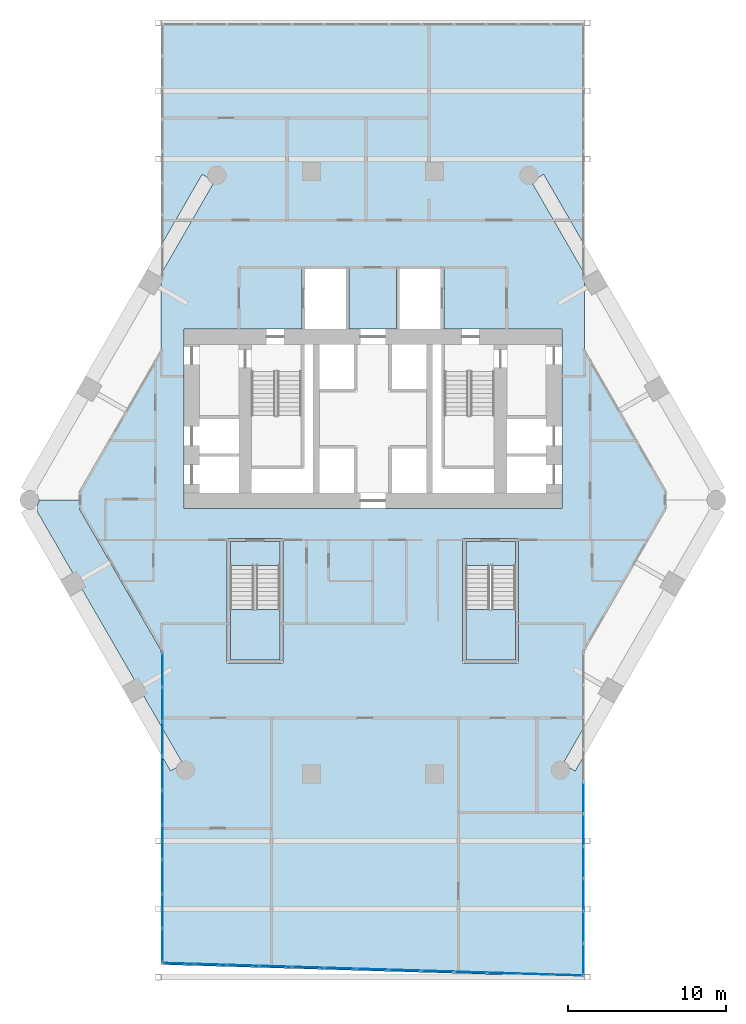
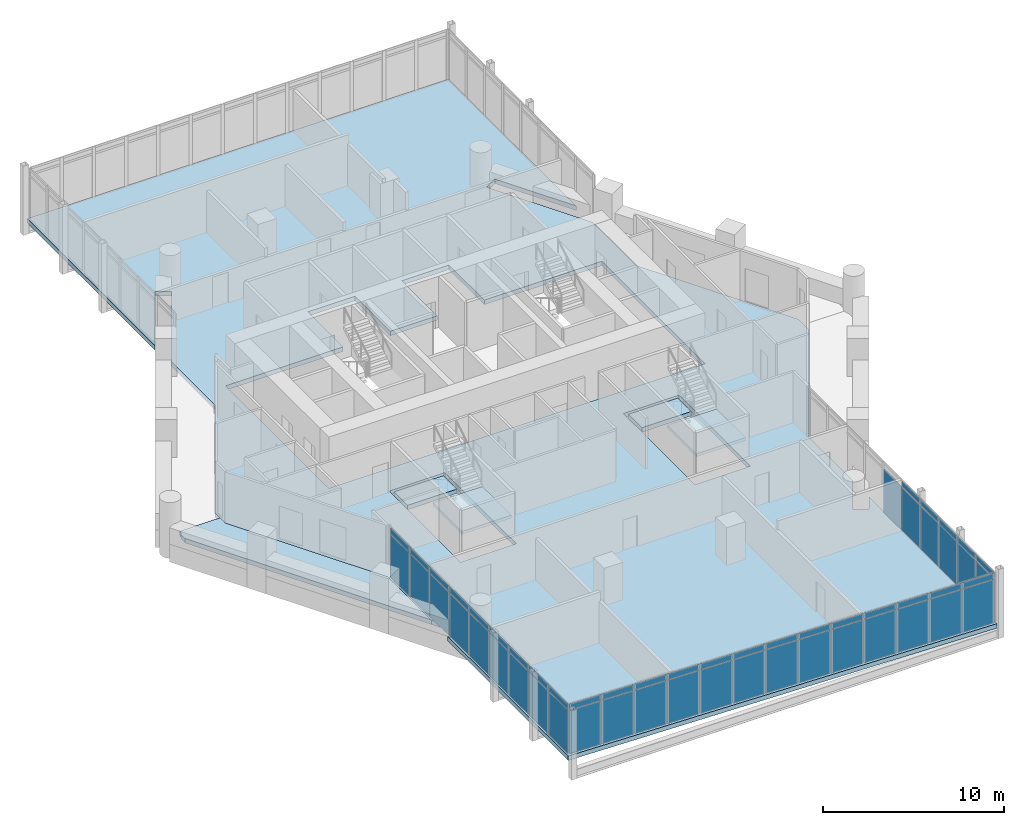
# One storey, part 20 of 28: 55 plates, 6 slabs, 5 elements without a shape of their own.
"""IFC4 building model written with IfcOpenShell, lengths in metres."""

import ifcopenshell
import ifcopenshell.guid

model = None  # the IFC model being written
_history = None  # IfcOwnerHistory: only IFC2X3 demands one
_inside = {}  # id of a spatial element -> (the spatial element, [elements in it])
_under = {}  # id of a project, library or spatial element -> (it, [spatial elements below it])
_declared = {}  # id of a project -> (the project, [libraries it declares])
_typed = {}  # id of a type object -> (the type object, [elements of that type])
_made_of = {}  # id of a material, layer set ... -> (it, [elements and type objects made of it])


def new_model(schema):
    """Start an empty IFC model of exactly this schema.

    Asked for "IFC4X3", IfcOpenShell would pick the latest addendum, in which some entities
    have other attributes; the version numbers below select the first issue.
    IFC2X3 requires an IfcOwnerHistory on every rooted entity: one is made here for all.
    """
    global model, _history
    if schema == "IFC4X3":
        model = ifcopenshell.file(schema_version=(4, 3, 0, 0))
    else:
        model = ifcopenshell.file(schema=schema)
    _inside.clear()
    _under.clear()
    _declared.clear()
    _typed.clear()
    _made_of.clear()
    _history = None
    if model.schema == "IFC2X3":
        org = make("IfcOrganization", Name="unknown")
        user = make(
            "IfcPersonAndOrganization",
            ThePerson=make("IfcPerson", FamilyName="unknown"),
            TheOrganization=org,
        )
        app = make(
            "IfcApplication",
            ApplicationDeveloper=org,
            Version="unknown",
            ApplicationFullName="unknown",
            ApplicationIdentifier="unknown",
        )
        _history = make(
            "IfcOwnerHistory",
            OwningUser=user,
            OwningApplication=app,
            ChangeAction="ADDED",
            CreationDate=0,
        )
    return model


def make(cls, **values):
    """One entity of the class cls with the attributes given. An attribute that is None is left unset."""
    return model.create_entity(
        cls, **{name: value for name, value in values.items() if value is not None}
    )


def rooted(cls, **values):
    """An entity with a GlobalId (a new one), such as an element, a storey or a relation."""
    return make(cls, GlobalId=ifcopenshell.guid.new(), OwnerHistory=_history, **values)


def si_unit(unit_type, name, prefix=None):
    """IfcSIUnit, for example si_unit("LENGTHUNIT", "METRE", prefix="MILLI")."""
    return make("IfcSIUnit", UnitType=unit_type, Prefix=prefix, Name=name)


def assignment(units):
    """IfcUnitAssignment: the units of a project."""
    return None if units is None else make("IfcUnitAssignment", Units=units)


def point(xyz):
    """IfcCartesianPoint."""
    return None if xyz is None else make("IfcCartesianPoint", Coordinates=xyz)


def direction(xyz):
    """IfcDirection."""
    return None if xyz is None else make("IfcDirection", DirectionRatios=xyz)


def frame(location, z_axis=None, x_axis=None):
    """IfcAxis2Placement3D, a coordinate frame: its origin and axes. An axis left out is left unset."""
    return make(
        "IfcAxis2Placement3D",
        Location=point(location),
        Axis=direction(z_axis),
        RefDirection=direction(x_axis),
    )


def frame_2d(location, x_axis=None):
    """IfcAxis2Placement2D, a coordinate frame in the plane: its origin and x axis."""
    return make(
        "IfcAxis2Placement2D", Location=point(location), RefDirection=direction(x_axis)
    )


def origin():
    """The frame at (0, 0, 0) with its axes left unset."""
    return frame((0.0, 0.0, 0.0))


def origin_2d():
    """The frame at (0, 0) in the plane with its x axis left unset."""
    return frame_2d((0.0, 0.0))


def place(relative_to, where):
    """IfcLocalPlacement: puts the frame where relative to a parent placement (None: the world)."""
    return make(
        "IfcLocalPlacement", PlacementRelTo=relative_to, RelativePlacement=where
    )


def context(
    kind, dimensions, precision=None, world=None, true_north=None, identifier=None
):
    """IfcGeometricRepresentationContext, for example the 3D "Model" context."""
    return make(
        "IfcGeometricRepresentationContext",
        ContextIdentifier=identifier,
        ContextType=kind,
        CoordinateSpaceDimension=dimensions,
        Precision=precision,
        WorldCoordinateSystem=world,
        TrueNorth=true_north,
    )


def subcontext(parent, identifier, kind, view, scale=None):
    """IfcGeometricRepresentationSubContext, for example "Body" below "Model"."""
    return make(
        "IfcGeometricRepresentationSubContext",
        ContextIdentifier=identifier,
        ContextType=kind,
        ParentContext=parent,
        TargetScale=scale,
        TargetView=view,
    )


def project(units=None, contexts=None):
    """IfcProject with its units and contexts."""
    return rooted(
        "IfcProject",
        Name="project",
        RepresentationContexts=contexts,
        UnitsInContext=assignment(units),
    )


def spatial(cls, under=None, at=None, **own):
    """A site, building, storey or space (cls), placed at a placement, below another one or the project."""
    s = rooted(cls, ObjectPlacement=at, **own)
    if under is not None:
        _under.setdefault(under.id(), (under, []))[1].append(s)
    return s


def polyline(points):
    """IfcPolyline through the points."""
    return make("IfcPolyline", Points=[point(p) for p in points])


def profile(cls, at=None, kind="AREA", **sizes):
    """A parametric profile (cls). Its sizes go by their IFC names, for example OverallWidth=200.0."""
    return make(cls, ProfileType=kind, Position=at, **sizes)


def rectangle(**sizes):
    """IfcRectangleProfileDef."""
    return profile("IfcRectangleProfileDef", **sizes)


def outline(outer, holes=None, kind="AREA"):
    """IfcArbitraryClosedProfileDef: a profile drawn as a closed curve; with holes, ...WithVoids."""
    if holes is None:
        return make("IfcArbitraryClosedProfileDef", ProfileType=kind, OuterCurve=outer)
    return make(
        "IfcArbitraryProfileDefWithVoids",
        ProfileType=kind,
        OuterCurve=outer,
        InnerCurves=holes,
    )


def extrude(swept, where, along, depth):
    """IfcExtrudedAreaSolid: the profile swept, set in the frame where, extruded along a direction by depth."""
    return make(
        "IfcExtrudedAreaSolid",
        SweptArea=swept,
        Position=where,
        ExtrudedDirection=direction(along),
        Depth=depth,
    )


def shape(context_of_items, identifier, shape_type, items):
    """IfcShapeRepresentation: the items that make up one representation, for example the "Body"."""
    return make(
        "IfcShapeRepresentation",
        ContextOfItems=context_of_items,
        RepresentationIdentifier=identifier,
        RepresentationType=shape_type,
        Items=items,
    )


def material(Name=None, Category=None):
    """IfcMaterial."""
    return make("IfcMaterial", Name=Name, Category=Category)


def layer(
    of_material, thickness, ventilated=None, Name=None, Category=None, Priority=None
):
    """IfcMaterialLayer: one layer of a wall or slab, of a material (None: an air gap)."""
    return make(
        "IfcMaterialLayer",
        Material=of_material,
        LayerThickness=thickness,
        IsVentilated=ventilated,
        Name=Name,
        Category=Category,
        Priority=Priority,
    )


def layer_set(layers, Name=None):
    """IfcMaterialLayerSet."""
    return make("IfcMaterialLayerSet", MaterialLayers=layers, LayerSetName=Name)


def made_of(thing, what):
    """Note that an element or type object is made of a material, layer set ...; save() writes the relation."""
    if what is not None:
        _made_of.setdefault(what.id(), (what, []))[1].append(thing)
    return thing


def type_object(cls, material=None, **own):
    """A type object (cls), such as IfcWallType, which elements share."""
    return made_of(rooted(cls, **own), material)


def element(
    cls,
    number,
    at=None,
    inside=None,
    cuts=None,
    type_object=None,
    material=None,
    context=None,
    identifier="Body",
    shape_type=None,
    held_by="IfcProductDefinitionShape",
    body=None,
    shapes=None,
    **own,
):
    """One element of the class cls, such as IfcWall. Its Tag is "e" and its number.

    at: its placement. inside: the storey or other place that contains it. cuts: it is an
    opening in that element (IfcRelVoidsElement). A single representation is given by context,
    identifier, shape_type and body (its items); several are given by shapes. held_by: the class
    of the entity that holds the representations. save() writes the other relations.
    """
    e = rooted(cls, Tag="e%d" % number, ObjectPlacement=at, **own)
    if body is not None:
        shapes = [shape(context, identifier, shape_type, body)]
    if shapes is not None:
        e.Representation = make(held_by, Representations=shapes)
    if inside is not None:
        _inside.setdefault(inside.id(), (inside, []))[1].append(e)
    if cuts is not None:
        rooted(
            "IfcRelVoidsElement", RelatingBuildingElement=cuts, RelatedOpeningElement=e
        )
    if type_object is not None:
        _typed.setdefault(type_object.id(), (type_object, []))[1].append(e)
    return made_of(e, material)


def aggregate(whole, parts):
    """IfcRelAggregates: a whole, such as a stair, and the parts it consists of."""
    return rooted("IfcRelAggregates", RelatingObject=whole, RelatedObjects=parts)


def save(model, path):
    """Write the relations noted so far, then the file.

    IfcRelAggregates (storeys below a building ...), IfcRelContainedInSpatialStructure (elements
    in a storey), IfcRelDefinesByType, IfcRelAssociatesMaterial and IfcRelDeclares: one each for
    every whole, place, type object, material and project.
    """
    for whole, parts in _under.values():
        aggregate(whole, parts)
    for where, things in _inside.values():
        rooted(
            "IfcRelContainedInSpatialStructure",
            RelatedElements=things,
            RelatingStructure=where,
        )
    for kind, things in _typed.values():
        rooted("IfcRelDefinesByType", RelatedObjects=things, RelatingType=kind)
    for what, things in _made_of.values():
        rooted("IfcRelAssociatesMaterial", RelatedObjects=things, RelatingMaterial=what)
    for by, libraries in _declared.values():
        rooted("IfcRelDeclares", RelatingContext=by, RelatedDefinitions=libraries)
    model.write(path)


model = new_model("IFC4")

# Units and contexts
model_context = context("Model", 3, precision=1e-05, world=origin(), true_north=direction((0.0, 1.0)))
body_context = subcontext(model_context, "Body", "Model", "MODEL_VIEW")
ifc_project = project(units=[si_unit("LENGTHUNIT", "METRE"), si_unit("AREAUNIT", "SQUARE_METRE"), si_unit("VOLUMEUNIT", "CUBIC_METRE"), si_unit("PLANEANGLEUNIT", "RADIAN"), si_unit("MASSUNIT", "GRAM", prefix="KILO")], contexts=[model_context])

# Site, building, storey
site_placement = place(None, origin())
site = spatial("IfcSite", under=ifc_project, at=site_placement, CompositionType="ELEMENT")
building_placement = place(site_placement, origin())
building = spatial("IfcBuilding", under=site, at=building_placement, Name="Ostrander Bayou Hotel Tower", CompositionType="ELEMENT")
storey_placement = place(building_placement, frame((0.0, 0.0, 142.25)))
storey = spatial("IfcBuildingStorey", under=building, at=storey_placement, Name="L35", CompositionType="ELEMENT", Elevation=142.25)

# Curtain wall, plates
ifc_material_1 = material(Name="Aluminium and clear glass", Category="aluminium")
curtain_wall_type = type_object("IfcCurtainWallType", Name="CW-BAR glazed wall", PredefinedType="NOTDEFINED", material=ifc_material_1)
curtain_wall_1_placement = place(storey_placement, origin())
curtain_wall_1 = element("IfcCurtainWall", 1, at=curtain_wall_1_placement, inside=storey, type_object=curtain_wall_type, Name="CW-BAR L35:SB3S:E", PredefinedType="NOTDEFINED")
ifc_material_2 = material(Name="Clear laminated glass", Category="glass")
ifc_layer_1 = layer(ifc_material_2, 0.028076171875)
ifc_layer_set_1 = layer_set([ifc_layer_1], Name="CW-BR glazing panel 28 mm")
plate_type = type_object("IfcPlateType", Name="CW-BR glazing panel 28 mm", PredefinedType="CURTAIN_PANEL", material=ifc_layer_set_1)
plate_1_placement = place(storey_placement, frame((-13.3671875, -11.95703125, 0.06005859375), z_axis=(0.0, 0.0, 1.0), x_axis=(0.0, -1.0, 0.0)))
plate_1 = element("IfcPlate", 2, at=plate_1_placement, type_object=plate_type, Name="CW-BAR panel 1.1", PredefinedType="CURTAIN_PANEL", context=body_context, shape_type="SweptSolid", body=[
    extrude(rectangle(XDim=2.099365234375, YDim=0.028076171875, at=origin_2d()), origin(), (0.0, 0.0, 1.0), 2.909912109375),
])
plate_2_placement = place(storey_placement, frame((-13.3671875, -11.95703125, 3.02978515625), z_axis=(0.0, 0.0, 1.0), x_axis=(0.0, -1.0, 0.0)))
plate_2 = element("IfcPlate", 3, at=plate_2_placement, type_object=plate_type, Name="CW-BAR panel 1.2", PredefinedType="CURTAIN_PANEL", context=body_context, shape_type="SweptSolid", body=[
    extrude(rectangle(XDim=2.099365234375, YDim=0.028076171875, at=origin_2d()), origin(), (0.0, 0.0, 1.0), 0.360107421875),
])
plate_3_placement = place(storey_placement, frame((-13.3671875, -14.13134765625, 0.06005859375), z_axis=(0.0, 0.0, 1.0), x_axis=(0.0, -1.0, 0.0)))
plate_3 = element("IfcPlate", 4, at=plate_3_placement, type_object=plate_type, Name="CW-BAR panel 2.1", PredefinedType="CURTAIN_PANEL", context=body_context, shape_type="SweptSolid", body=[
    extrude(rectangle(XDim=2.12939453125, YDim=0.028076171875, at=origin_2d()), origin(), (0.0, 0.0, 1.0), 2.909912109375),
])
plate_4_placement = place(storey_placement, frame((-13.3671875, -14.13134765625, 3.02978515625), z_axis=(0.0, 0.0, 1.0), x_axis=(0.0, -1.0, 0.0)))
plate_4 = element("IfcPlate", 5, at=plate_4_placement, type_object=plate_type, Name="CW-BAR panel 2.2", PredefinedType="CURTAIN_PANEL", context=body_context, shape_type="SweptSolid", body=[
    extrude(rectangle(XDim=2.12939453125, YDim=0.028076171875, at=origin_2d()), origin(), (0.0, 0.0, 1.0), 0.360107421875),
])
plate_5_placement = place(storey_placement, frame((-13.3671875, -16.32080078125, 0.06005859375), z_axis=(0.0, 0.0, 1.0), x_axis=(0.0, -1.0, 0.0)))
plate_5 = element("IfcPlate", 6, at=plate_5_placement, type_object=plate_type, Name="CW-BAR panel 3.1", PredefinedType="CURTAIN_PANEL", context=body_context, shape_type="SweptSolid", body=[
    extrude(rectangle(XDim=2.12939453125, YDim=0.028076171875, at=origin_2d()), origin(), (0.0, 0.0, 1.0), 2.909912109375),
])
plate_6_placement = place(storey_placement, frame((-13.3671875, -16.32080078125, 3.02978515625), z_axis=(0.0, 0.0, 1.0), x_axis=(0.0, -1.0, 0.0)))
plate_6 = element("IfcPlate", 7, at=plate_6_placement, type_object=plate_type, Name="CW-BAR panel 3.2", PredefinedType="CURTAIN_PANEL", context=body_context, shape_type="SweptSolid", body=[
    extrude(rectangle(XDim=2.12939453125, YDim=0.028076171875, at=origin_2d()), origin(), (0.0, 0.0, 1.0), 0.360107421875),
])
plate_7_placement = place(storey_placement, frame((-13.3671875, -18.51025390625, 0.06005859375), z_axis=(0.0, 0.0, 1.0), x_axis=(0.0, -1.0, 0.0)))
plate_7 = element("IfcPlate", 8, at=plate_7_placement, type_object=plate_type, Name="CW-BAR panel 4.1", PredefinedType="CURTAIN_PANEL", context=body_context, shape_type="SweptSolid", body=[
    extrude(rectangle(XDim=2.12939453125, YDim=0.028076171875, at=origin_2d()), origin(), (0.0, 0.0, 1.0), 2.909912109375),
])
plate_8_placement = place(storey_placement, frame((-13.3671875, -18.51025390625, 3.02978515625), z_axis=(0.0, 0.0, 1.0), x_axis=(0.0, -1.0, 0.0)))
plate_8 = element("IfcPlate", 9, at=plate_8_placement, type_object=plate_type, Name="CW-BAR panel 4.2", PredefinedType="CURTAIN_PANEL", context=body_context, shape_type="SweptSolid", body=[
    extrude(rectangle(XDim=2.12939453125, YDim=0.028076171875, at=origin_2d()), origin(), (0.0, 0.0, 1.0), 0.360107421875),
])
plate_9_placement = place(storey_placement, frame((-13.3671875, -20.69970703125, 0.06005859375), z_axis=(0.0, 0.0, 1.0), x_axis=(0.0, -1.0, 0.0)))
plate_9 = element("IfcPlate", 10, at=plate_9_placement, type_object=plate_type, Name="CW-BAR panel 5.1", PredefinedType="CURTAIN_PANEL", context=body_context, shape_type="SweptSolid", body=[
    extrude(rectangle(XDim=2.12939453125, YDim=0.028076171875, at=origin_2d()), origin(), (0.0, 0.0, 1.0), 2.909912109375),
])
plate_10_placement = place(storey_placement, frame((-13.3671875, -20.69970703125, 3.02978515625), z_axis=(0.0, 0.0, 1.0), x_axis=(0.0, -1.0, 0.0)))
plate_10 = element("IfcPlate", 11, at=plate_10_placement, type_object=plate_type, Name="CW-BAR panel 5.2", PredefinedType="CURTAIN_PANEL", context=body_context, shape_type="SweptSolid", body=[
    extrude(rectangle(XDim=2.12939453125, YDim=0.028076171875, at=origin_2d()), origin(), (0.0, 0.0, 1.0), 0.360107421875),
])
plate_11_placement = place(storey_placement, frame((-13.3671875, -22.88916015625, 0.06005859375), z_axis=(0.0, 0.0, 1.0), x_axis=(0.0, -1.0, 0.0)))
plate_11 = element("IfcPlate", 12, at=plate_11_placement, type_object=plate_type, Name="CW-BAR panel 6.1", PredefinedType="CURTAIN_PANEL", context=body_context, shape_type="SweptSolid", body=[
    extrude(rectangle(XDim=2.12939453125, YDim=0.028076171875, at=origin_2d()), origin(), (0.0, 0.0, 1.0), 2.909912109375),
])
plate_12_placement = place(storey_placement, frame((-13.3671875, -22.88916015625, 3.02978515625), z_axis=(0.0, 0.0, 1.0), x_axis=(0.0, -1.0, 0.0)))
plate_12 = element("IfcPlate", 13, at=plate_12_placement, type_object=plate_type, Name="CW-BAR panel 6.2", PredefinedType="CURTAIN_PANEL", context=body_context, shape_type="SweptSolid", body=[
    extrude(rectangle(XDim=2.12939453125, YDim=0.028076171875, at=origin_2d()), origin(), (0.0, 0.0, 1.0), 0.360107421875),
])
plate_13_placement = place(storey_placement, frame((-13.3671875, -25.07861328125, 0.06005859375), z_axis=(0.0, 0.0, 1.0), x_axis=(0.0, -1.0, 0.0)))
plate_13 = element("IfcPlate", 14, at=plate_13_placement, type_object=plate_type, Name="CW-BAR panel 7.1", PredefinedType="CURTAIN_PANEL", context=body_context, shape_type="SweptSolid", body=[
    extrude(rectangle(XDim=2.12939453125, YDim=0.028076171875, at=origin_2d()), origin(), (0.0, 0.0, 1.0), 2.909912109375),
])
plate_14_placement = place(storey_placement, frame((-13.3671875, -25.07861328125, 3.02978515625), z_axis=(0.0, 0.0, 1.0), x_axis=(0.0, -1.0, 0.0)))
plate_14 = element("IfcPlate", 15, at=plate_14_placement, type_object=plate_type, Name="CW-BAR panel 7.2", PredefinedType="CURTAIN_PANEL", context=body_context, shape_type="SweptSolid", body=[
    extrude(rectangle(XDim=2.12939453125, YDim=0.028076171875, at=origin_2d()), origin(), (0.0, 0.0, 1.0), 0.360107421875),
])
plate_15_placement = place(storey_placement, frame((-13.3671875, -27.26806640625, 0.06005859375), z_axis=(0.0, 0.0, 1.0), x_axis=(0.0, -1.0, 0.0)))
plate_15 = element("IfcPlate", 16, at=plate_15_placement, type_object=plate_type, Name="CW-BAR panel 8.1", PredefinedType="CURTAIN_PANEL", context=body_context, shape_type="SweptSolid", body=[
    extrude(rectangle(XDim=2.12939453125, YDim=0.028076171875, at=origin_2d()), origin(), (0.0, 0.0, 1.0), 2.909912109375),
])
plate_16_placement = place(storey_placement, frame((-13.3671875, -27.26806640625, 3.02978515625), z_axis=(0.0, 0.0, 1.0), x_axis=(0.0, -1.0, 0.0)))
plate_16 = element("IfcPlate", 17, at=plate_16_placement, type_object=plate_type, Name="CW-BAR panel 8.2", PredefinedType="CURTAIN_PANEL", context=body_context, shape_type="SweptSolid", body=[
    extrude(rectangle(XDim=2.12939453125, YDim=0.028076171875, at=origin_2d()), origin(), (0.0, 0.0, 1.0), 0.360107421875),
])
plate_17_placement = place(storey_placement, frame((-13.3671875, -29.4423828125, 0.06005859375), z_axis=(0.0, 0.0, 1.0), x_axis=(0.0, -1.0, 0.0)))
plate_17 = element("IfcPlate", 18, at=plate_17_placement, type_object=plate_type, Name="CW-BAR panel 9.1", PredefinedType="CURTAIN_PANEL", context=body_context, shape_type="SweptSolid", body=[
    extrude(rectangle(XDim=2.099365234375, YDim=0.028076171875, at=origin_2d()), origin(), (0.0, 0.0, 1.0), 2.909912109375),
])
plate_18_placement = place(storey_placement, frame((-13.3671875, -29.4423828125, 3.02978515625), z_axis=(0.0, 0.0, 1.0), x_axis=(0.0, -1.0, 0.0)))
plate_18 = element("IfcPlate", 19, at=plate_18_placement, type_object=plate_type, Name="CW-BAR panel 9.2", PredefinedType="CURTAIN_PANEL", context=body_context, shape_type="SweptSolid", body=[
    extrude(rectangle(XDim=2.099365234375, YDim=0.028076171875, at=origin_2d()), origin(), (0.0, 0.0, 1.0), 0.360107421875),
])
aggregate(curtain_wall_1, [plate_1, plate_2, plate_3, plate_4, plate_5, plate_6, plate_7, plate_8, plate_9, plate_10, plate_11, plate_12, plate_13, plate_14, plate_15, plate_16, plate_17, plate_18])

curtain_wall_2_placement = place(storey_placement, origin())
curtain_wall_2 = element("IfcCurtainWall", 20, at=curtain_wall_2_placement, inside=storey, type_object=curtain_wall_type, Name="CW-BAR L35:SB3S:T", PredefinedType="NOTDEFINED")
plate_19_placement = place(storey_placement, frame((-12.323974609375, -30.583251953125, 0.06005859375), z_axis=(0.0, 0.0, 1.0), x_axis=(0.999557482631, -0.029746242041, 0.0)))
plate_19 = element("IfcPlate", 21, at=plate_19_placement, type_object=plate_type, Name="CW-BAR panel 1.1", PredefinedType="CURTAIN_PANEL", context=body_context, shape_type="SweptSolid", body=[
    extrude(rectangle(XDim=1.96728515625, YDim=0.028076171875, at=origin_2d()), origin(), (0.0, 0.0, 1.0), 2.909912109375),
])
plate_20_placement = place(storey_placement, frame((-12.323974609375, -30.583251953125, 3.02978515625), z_axis=(0.0, 0.0, 1.0), x_axis=(0.999557482631, -0.029746242041, 0.0)))
plate_20 = element("IfcPlate", 22, at=plate_20_placement, type_object=plate_type, Name="CW-BAR panel 1.2", PredefinedType="CURTAIN_PANEL", context=body_context, shape_type="SweptSolid", body=[
    extrude(rectangle(XDim=1.96728515625, YDim=0.028076171875, at=origin_2d()), origin(), (0.0, 0.0, 1.0), 0.360107421875),
])
plate_21_placement = place(storey_placement, frame((-10.282470703125, -30.64404296875, 0.06005859375), z_axis=(0.0, 0.0, 1.0), x_axis=(0.999557482631, -0.029746242041, 0.0)))
plate_21 = element("IfcPlate", 23, at=plate_21_placement, type_object=plate_type, Name="CW-BAR panel 2.1", PredefinedType="CURTAIN_PANEL", context=body_context, shape_type="SweptSolid", body=[
    extrude(rectangle(XDim=1.997314453125, YDim=0.028076171875, at=origin_2d()), origin(), (0.0, 0.0, 1.0), 2.909912109375),
])
plate_22_placement = place(storey_placement, frame((-10.282470703125, -30.64404296875, 3.02978515625), z_axis=(0.0, 0.0, 1.0), x_axis=(0.999557482631, -0.029746242041, 0.0)))
plate_22 = element("IfcPlate", 24, at=plate_22_placement, type_object=plate_type, Name="CW-BAR panel 2.2", PredefinedType="CURTAIN_PANEL", context=body_context, shape_type="SweptSolid", body=[
    extrude(rectangle(XDim=1.997314453125, YDim=0.028076171875, at=origin_2d()), origin(), (0.0, 0.0, 1.0), 0.360107421875),
])
plate_23_placement = place(storey_placement, frame((-8.22607421875, -30.705078125, 0.06005859375), z_axis=(0.0, 0.0, 1.0), x_axis=(0.999557482631, -0.029746242041, 0.0)))
plate_23 = element("IfcPlate", 25, at=plate_23_placement, type_object=plate_type, Name="CW-BAR panel 3.1", PredefinedType="CURTAIN_PANEL", context=body_context, shape_type="SweptSolid", body=[
    extrude(rectangle(XDim=1.997314453125, YDim=0.028076171875, at=origin_2d()), origin(), (0.0, 0.0, 1.0), 2.909912109375),
])
plate_24_placement = place(storey_placement, frame((-8.22607421875, -30.705078125, 3.02978515625), z_axis=(0.0, 0.0, 1.0), x_axis=(0.999557482631, -0.029746242041, 0.0)))
plate_24 = element("IfcPlate", 26, at=plate_24_placement, type_object=plate_type, Name="CW-BAR panel 3.2", PredefinedType="CURTAIN_PANEL", context=body_context, shape_type="SweptSolid", body=[
    extrude(rectangle(XDim=1.997314453125, YDim=0.028076171875, at=origin_2d()), origin(), (0.0, 0.0, 1.0), 0.360107421875),
])
plate_25_placement = place(storey_placement, frame((-6.16943359375, -30.766357421875, 0.06005859375), z_axis=(0.0, 0.0, 1.0), x_axis=(0.999557482631, -0.029746242041, 0.0)))
plate_25 = element("IfcPlate", 27, at=plate_25_placement, type_object=plate_type, Name="CW-BAR panel 4.1", PredefinedType="CURTAIN_PANEL", context=body_context, shape_type="SweptSolid", body=[
    extrude(rectangle(XDim=1.997314453125, YDim=0.028076171875, at=origin_2d()), origin(), (0.0, 0.0, 1.0), 2.909912109375),
])
plate_26_placement = place(storey_placement, frame((-6.16943359375, -30.766357421875, 3.02978515625), z_axis=(0.0, 0.0, 1.0), x_axis=(0.999557482631, -0.029746242041, 0.0)))
plate_26 = element("IfcPlate", 28, at=plate_26_placement, type_object=plate_type, Name="CW-BAR panel 4.2", PredefinedType="CURTAIN_PANEL", context=body_context, shape_type="SweptSolid", body=[
    extrude(rectangle(XDim=1.997314453125, YDim=0.028076171875, at=origin_2d()), origin(), (0.0, 0.0, 1.0), 0.360107421875),
])
plate_27_placement = place(storey_placement, frame((-4.113037109375, -30.82763671875, 0.06005859375), z_axis=(0.0, 0.0, 1.0), x_axis=(0.999557482631, -0.029746242041, 0.0)))
plate_27 = element("IfcPlate", 29, at=plate_27_placement, type_object=plate_type, Name="CW-BAR panel 5.1", PredefinedType="CURTAIN_PANEL", context=body_context, shape_type="SweptSolid", body=[
    extrude(rectangle(XDim=1.997314453125, YDim=0.028076171875, at=origin_2d()), origin(), (0.0, 0.0, 1.0), 2.909912109375),
])
plate_28_placement = place(storey_placement, frame((-4.113037109375, -30.82763671875, 3.02978515625), z_axis=(0.0, 0.0, 1.0), x_axis=(0.999557482631, -0.029746242041, 0.0)))
plate_28 = element("IfcPlate", 30, at=plate_28_placement, type_object=plate_type, Name="CW-BAR panel 5.2", PredefinedType="CURTAIN_PANEL", context=body_context, shape_type="SweptSolid", body=[
    extrude(rectangle(XDim=1.997314453125, YDim=0.028076171875, at=origin_2d()), origin(), (0.0, 0.0, 1.0), 0.360107421875),
])
plate_29_placement = place(storey_placement, frame((-2.056396484375, -30.888916015625, 0.06005859375), z_axis=(0.0, 0.0, 1.0), x_axis=(0.999557482631, -0.029746242041, 0.0)))
plate_29 = element("IfcPlate", 31, at=plate_29_placement, type_object=plate_type, Name="CW-BAR panel 6.1", PredefinedType="CURTAIN_PANEL", context=body_context, shape_type="SweptSolid", body=[
    extrude(rectangle(XDim=1.997314453125, YDim=0.028076171875, at=origin_2d()), origin(), (0.0, 0.0, 1.0), 2.909912109375),
])
plate_30_placement = place(storey_placement, frame((-2.056396484375, -30.888916015625, 3.02978515625), z_axis=(0.0, 0.0, 1.0), x_axis=(0.999557482631, -0.029746242041, 0.0)))
plate_30 = element("IfcPlate", 32, at=plate_30_placement, type_object=plate_type, Name="CW-BAR panel 6.2", PredefinedType="CURTAIN_PANEL", context=body_context, shape_type="SweptSolid", body=[
    extrude(rectangle(XDim=1.997314453125, YDim=0.028076171875, at=origin_2d()), origin(), (0.0, 0.0, 1.0), 0.360107421875),
])
plate_31_placement = place(storey_placement, frame((0.0, -30.949951171875, 0.06005859375), z_axis=(0.0, 0.0, 1.0), x_axis=(0.999557482631, -0.029746242041, 0.0)))
plate_31 = element("IfcPlate", 33, at=plate_31_placement, type_object=plate_type, Name="CW-BAR panel 7.1", PredefinedType="CURTAIN_PANEL", context=body_context, shape_type="SweptSolid", body=[
    extrude(rectangle(XDim=1.997314453125, YDim=0.028076171875, at=origin_2d()), origin(), (0.0, 0.0, 1.0), 2.909912109375),
])
plate_32_placement = place(storey_placement, frame((0.0, -30.949951171875, 3.02978515625), z_axis=(0.0, 0.0, 1.0), x_axis=(0.999557482631, -0.029746242041, 0.0)))
plate_32 = element("IfcPlate", 34, at=plate_32_placement, type_object=plate_type, Name="CW-BAR panel 7.2", PredefinedType="CURTAIN_PANEL", context=body_context, shape_type="SweptSolid", body=[
    extrude(rectangle(XDim=1.997314453125, YDim=0.028076171875, at=origin_2d()), origin(), (0.0, 0.0, 1.0), 0.360107421875),
])
plate_33_placement = place(storey_placement, frame((2.056396484375, -31.01123046875, 0.06005859375), z_axis=(0.0, 0.0, 1.0), x_axis=(0.999557482631, -0.029746242041, 0.0)))
plate_33 = element("IfcPlate", 35, at=plate_33_placement, type_object=plate_type, Name="CW-BAR panel 8.1", PredefinedType="CURTAIN_PANEL", context=body_context, shape_type="SweptSolid", body=[
    extrude(rectangle(XDim=1.997314453125, YDim=0.028076171875, at=origin_2d()), origin(), (0.0, 0.0, 1.0), 2.909912109375),
])
plate_34_placement = place(storey_placement, frame((2.056396484375, -31.01123046875, 3.02978515625), z_axis=(0.0, 0.0, 1.0), x_axis=(0.999557482631, -0.029746242041, 0.0)))
plate_34 = element("IfcPlate", 36, at=plate_34_placement, type_object=plate_type, Name="CW-BAR panel 8.2", PredefinedType="CURTAIN_PANEL", context=body_context, shape_type="SweptSolid", body=[
    extrude(rectangle(XDim=1.997314453125, YDim=0.028076171875, at=origin_2d()), origin(), (0.0, 0.0, 1.0), 0.360107421875),
])
plate_35_placement = place(storey_placement, frame((4.113037109375, -31.072509765625, 0.06005859375), z_axis=(0.0, 0.0, 1.0), x_axis=(0.999557482631, -0.029746242041, 0.0)))
plate_35 = element("IfcPlate", 37, at=plate_35_placement, type_object=plate_type, Name="CW-BAR panel 9.1", PredefinedType="CURTAIN_PANEL", context=body_context, shape_type="SweptSolid", body=[
    extrude(rectangle(XDim=1.997314453125, YDim=0.028076171875, at=origin_2d()), origin(), (0.0, 0.0, 1.0), 2.909912109375),
])
plate_36_placement = place(storey_placement, frame((4.113037109375, -31.072509765625, 3.02978515625), z_axis=(0.0, 0.0, 1.0), x_axis=(0.999557482631, -0.029746242041, 0.0)))
plate_36 = element("IfcPlate", 38, at=plate_36_placement, type_object=plate_type, Name="CW-BAR panel 9.2", PredefinedType="CURTAIN_PANEL", context=body_context, shape_type="SweptSolid", body=[
    extrude(rectangle(XDim=1.997314453125, YDim=0.028076171875, at=origin_2d()), origin(), (0.0, 0.0, 1.0), 0.360107421875),
])
plate_37_placement = place(storey_placement, frame((6.16943359375, -31.133544921875, 0.06005859375), z_axis=(0.0, 0.0, 1.0), x_axis=(0.999557482631, -0.029746242041, 0.0)))
plate_37 = element("IfcPlate", 39, at=plate_37_placement, type_object=plate_type, Name="CW-BAR panel 10.1", PredefinedType="CURTAIN_PANEL", context=body_context, shape_type="SweptSolid", body=[
    extrude(rectangle(XDim=1.997314453125, YDim=0.028076171875, at=origin_2d()), origin(), (0.0, 0.0, 1.0), 2.909912109375),
])
plate_38_placement = place(storey_placement, frame((6.16943359375, -31.133544921875, 3.02978515625), z_axis=(0.0, 0.0, 1.0), x_axis=(0.999557482631, -0.029746242041, 0.0)))
plate_38 = element("IfcPlate", 40, at=plate_38_placement, type_object=plate_type, Name="CW-BAR panel 10.2", PredefinedType="CURTAIN_PANEL", context=body_context, shape_type="SweptSolid", body=[
    extrude(rectangle(XDim=1.997314453125, YDim=0.028076171875, at=origin_2d()), origin(), (0.0, 0.0, 1.0), 0.360107421875),
])
plate_39_placement = place(storey_placement, frame((8.22607421875, -31.19482421875, 0.06005859375), z_axis=(0.0, 0.0, 1.0), x_axis=(0.999557482631, -0.029746242041, 0.0)))
plate_39 = element("IfcPlate", 41, at=plate_39_placement, type_object=plate_type, Name="CW-BAR panel 11.1", PredefinedType="CURTAIN_PANEL", context=body_context, shape_type="SweptSolid", body=[
    extrude(rectangle(XDim=1.997314453125, YDim=0.028076171875, at=origin_2d()), origin(), (0.0, 0.0, 1.0), 2.909912109375),
])
plate_40_placement = place(storey_placement, frame((8.22607421875, -31.19482421875, 3.02978515625), z_axis=(0.0, 0.0, 1.0), x_axis=(0.999557482631, -0.029746242041, 0.0)))
plate_40 = element("IfcPlate", 42, at=plate_40_placement, type_object=plate_type, Name="CW-BAR panel 11.2", PredefinedType="CURTAIN_PANEL", context=body_context, shape_type="SweptSolid", body=[
    extrude(rectangle(XDim=1.997314453125, YDim=0.028076171875, at=origin_2d()), origin(), (0.0, 0.0, 1.0), 0.360107421875),
])
plate_41_placement = place(storey_placement, frame((10.282470703125, -31.256103515625, 0.06005859375), z_axis=(0.0, 0.0, 1.0), x_axis=(0.999557482631, -0.029746242041, 0.0)))
plate_41 = element("IfcPlate", 43, at=plate_41_placement, type_object=plate_type, Name="CW-BAR panel 12.1", PredefinedType="CURTAIN_PANEL", context=body_context, shape_type="SweptSolid", body=[
    extrude(rectangle(XDim=1.997314453125, YDim=0.028076171875, at=origin_2d()), origin(), (0.0, 0.0, 1.0), 2.909912109375),
])
plate_42_placement = place(storey_placement, frame((10.282470703125, -31.256103515625, 3.02978515625), z_axis=(0.0, 0.0, 1.0), x_axis=(0.999557482631, -0.029746242041, 0.0)))
plate_42 = element("IfcPlate", 44, at=plate_42_placement, type_object=plate_type, Name="CW-BAR panel 12.2", PredefinedType="CURTAIN_PANEL", context=body_context, shape_type="SweptSolid", body=[
    extrude(rectangle(XDim=1.997314453125, YDim=0.028076171875, at=origin_2d()), origin(), (0.0, 0.0, 1.0), 0.360107421875),
])
plate_43_placement = place(storey_placement, frame((12.323974609375, -31.316650390625, 0.06005859375), z_axis=(0.0, 0.0, 1.0), x_axis=(0.999557482631, -0.029746242041, 0.0)))
plate_43 = element("IfcPlate", 45, at=plate_43_placement, type_object=plate_type, Name="CW-BAR panel 13.1", PredefinedType="CURTAIN_PANEL", context=body_context, shape_type="SweptSolid", body=[
    extrude(rectangle(XDim=1.96728515625, YDim=0.028076171875, at=origin_2d()), origin(), (0.0, 0.0, 1.0), 2.909912109375),
])
plate_44_placement = place(storey_placement, frame((12.323974609375, -31.316650390625, 3.02978515625), z_axis=(0.0, 0.0, 1.0), x_axis=(0.999557482631, -0.029746242041, 0.0)))
plate_44 = element("IfcPlate", 46, at=plate_44_placement, type_object=plate_type, Name="CW-BAR panel 13.2", PredefinedType="CURTAIN_PANEL", context=body_context, shape_type="SweptSolid", body=[
    extrude(rectangle(XDim=1.96728515625, YDim=0.028076171875, at=origin_2d()), origin(), (0.0, 0.0, 1.0), 0.360107421875),
])
aggregate(curtain_wall_2, [plate_19, plate_20, plate_21, plate_22, plate_23, plate_24, plate_25, plate_26, plate_27, plate_28, plate_29, plate_30, plate_31, plate_32, plate_33, plate_34, plate_35, plate_36, plate_37, plate_38, plate_39, plate_40, plate_41, plate_42, plate_43, plate_44])

curtain_wall_3_placement = place(storey_placement, origin())
curtain_wall_3 = element("IfcCurtainWall", 47, at=curtain_wall_3_placement, inside=storey, type_object=curtain_wall_type, Name="CW-BAR L35:SB3S:W", PredefinedType="NOTDEFINED")
plate_45_placement = place(storey_placement, frame((13.3671875, -20.072509765625, 0.06005859375), z_axis=(0.0, 0.0, 1.0), x_axis=(0.0, -1.0, 0.0)))
plate_45 = element("IfcPlate", 48, at=plate_45_placement, type_object=plate_type, Name="CW-BAR panel 5.1", PredefinedType="CURTAIN_PANEL", context=body_context, shape_type="SweptSolid", body=[
    extrude(rectangle(XDim=1.989990234375, YDim=0.028076171875, at=origin_2d()), origin(), (0.0, 0.0, 1.0), 2.909912109375),
])
plate_46_placement = place(storey_placement, frame((13.3671875, -22.12255859375, 0.06005859375), z_axis=(0.0, 0.0, 1.0), x_axis=(0.0, -1.0, 0.0)))
plate_46 = element("IfcPlate", 49, at=plate_46_placement, type_object=plate_type, Name="CW-BAR panel 6.1", PredefinedType="CURTAIN_PANEL", context=body_context, shape_type="SweptSolid", body=[
    extrude(rectangle(XDim=1.989990234375, YDim=0.028076171875, at=origin_2d()), origin(), (0.0, 0.0, 1.0), 2.909912109375),
])
plate_47_placement = place(storey_placement, frame((13.3671875, -22.12255859375, 3.02978515625), z_axis=(0.0, 0.0, 1.0), x_axis=(0.0, -1.0, 0.0)))
plate_47 = element("IfcPlate", 50, at=plate_47_placement, type_object=plate_type, Name="CW-BAR panel 6.2", PredefinedType="CURTAIN_PANEL", context=body_context, shape_type="SweptSolid", body=[
    extrude(rectangle(XDim=1.989990234375, YDim=0.028076171875, at=origin_2d()), origin(), (0.0, 0.0, 1.0), 0.360107421875),
])
plate_48_placement = place(storey_placement, frame((13.3671875, -24.172607421875, 0.06005859375), z_axis=(0.0, 0.0, 1.0), x_axis=(0.0, -1.0, 0.0)))
plate_48 = element("IfcPlate", 51, at=plate_48_placement, type_object=plate_type, Name="CW-BAR panel 7.1", PredefinedType="CURTAIN_PANEL", context=body_context, shape_type="SweptSolid", body=[
    extrude(rectangle(XDim=1.989990234375, YDim=0.028076171875, at=origin_2d()), origin(), (0.0, 0.0, 1.0), 2.909912109375),
])
plate_49_placement = place(storey_placement, frame((13.3671875, -24.172607421875, 3.02978515625), z_axis=(0.0, 0.0, 1.0), x_axis=(0.0, -1.0, 0.0)))
plate_49 = element("IfcPlate", 52, at=plate_49_placement, type_object=plate_type, Name="CW-BAR panel 7.2", PredefinedType="CURTAIN_PANEL", context=body_context, shape_type="SweptSolid", body=[
    extrude(rectangle(XDim=1.989990234375, YDim=0.028076171875, at=origin_2d()), origin(), (0.0, 0.0, 1.0), 0.360107421875),
])
plate_50_placement = place(storey_placement, frame((13.3671875, -26.22265625, 0.06005859375), z_axis=(0.0, 0.0, 1.0), x_axis=(0.0, -1.0, 0.0)))
plate_50 = element("IfcPlate", 53, at=plate_50_placement, type_object=plate_type, Name="CW-BAR panel 8.1", PredefinedType="CURTAIN_PANEL", context=body_context, shape_type="SweptSolid", body=[
    extrude(rectangle(XDim=1.989990234375, YDim=0.028076171875, at=origin_2d()), origin(), (0.0, 0.0, 1.0), 2.909912109375),
])
plate_51_placement = place(storey_placement, frame((13.3671875, -26.22265625, 3.02978515625), z_axis=(0.0, 0.0, 1.0), x_axis=(0.0, -1.0, 0.0)))
plate_51 = element("IfcPlate", 54, at=plate_51_placement, type_object=plate_type, Name="CW-BAR panel 8.2", PredefinedType="CURTAIN_PANEL", context=body_context, shape_type="SweptSolid", body=[
    extrude(rectangle(XDim=1.989990234375, YDim=0.028076171875, at=origin_2d()), origin(), (0.0, 0.0, 1.0), 0.360107421875),
])
plate_52_placement = place(storey_placement, frame((13.3671875, -28.272705078125, 0.06005859375), z_axis=(0.0, 0.0, 1.0), x_axis=(0.0, -1.0, 0.0)))
plate_52 = element("IfcPlate", 55, at=plate_52_placement, type_object=plate_type, Name="CW-BAR panel 9.1", PredefinedType="CURTAIN_PANEL", context=body_context, shape_type="SweptSolid", body=[
    extrude(rectangle(XDim=1.989990234375, YDim=0.028076171875, at=origin_2d()), origin(), (0.0, 0.0, 1.0), 2.909912109375),
])
plate_53_placement = place(storey_placement, frame((13.3671875, -28.272705078125, 3.02978515625), z_axis=(0.0, 0.0, 1.0), x_axis=(0.0, -1.0, 0.0)))
plate_53 = element("IfcPlate", 56, at=plate_53_placement, type_object=plate_type, Name="CW-BAR panel 9.2", PredefinedType="CURTAIN_PANEL", context=body_context, shape_type="SweptSolid", body=[
    extrude(rectangle(XDim=1.989990234375, YDim=0.028076171875, at=origin_2d()), origin(), (0.0, 0.0, 1.0), 0.360107421875),
])
plate_54_placement = place(storey_placement, frame((13.3671875, -30.307861328125, 0.06005859375), z_axis=(0.0, 0.0, 1.0), x_axis=(0.0, -1.0, 0.0)))
plate_54 = element("IfcPlate", 57, at=plate_54_placement, type_object=plate_type, Name="CW-BAR panel 10.1", PredefinedType="CURTAIN_PANEL", context=body_context, shape_type="SweptSolid", body=[
    extrude(rectangle(XDim=1.9599609375, YDim=0.028076171875, at=origin_2d()), origin(), (0.0, 0.0, 1.0), 2.909912109375),
])
plate_55_placement = place(storey_placement, frame((13.3671875, -30.307861328125, 3.02978515625), z_axis=(0.0, 0.0, 1.0), x_axis=(0.0, -1.0, 0.0)))
plate_55 = element("IfcPlate", 58, at=plate_55_placement, type_object=plate_type, Name="CW-BAR panel 10.2", PredefinedType="CURTAIN_PANEL", context=body_context, shape_type="SweptSolid", body=[
    extrude(rectangle(XDim=1.9599609375, YDim=0.028076171875, at=origin_2d()), origin(), (0.0, 0.0, 1.0), 0.360107421875),
])
aggregate(curtain_wall_3, [plate_45, plate_46, plate_47, plate_48, plate_49, plate_50, plate_51, plate_52, plate_53, plate_54, plate_55])

# Slabs
ifc_material_3 = material(Name="Concrete f'c 40 MPa", Category="concrete")
ifc_layer_2 = layer(ifc_material_3, 0.300048828125)
ifc_layer_set_2 = layer_set([ifc_layer_2], Name="SL1 floor slab 300 mm f'c 40 MPa")
slab_type_1 = type_object("IfcSlabType", Name="SL1 floor slab 300 mm f'c 40 MPa", PredefinedType="FLOOR", material=ifc_layer_set_2)
slab_1_placement = place(storey_placement, frame((0.0, 0.0, -0.300048828125)))
element("IfcSlab", 59, at=slab_1_placement, inside=storey, type_object=slab_type_1, Name="SL1 L35 1", PredefinedType="FLOOR", context=body_context, shape_type="SweptSolid", body=[
    extrude(outline(polyline([(-12.84326171875, -18.35498046875), (-12.063720703125, -17.90478515625), (-13.442138671875, -15.517333984375), (-13.442138671875, -10.71728515625), (-18.61572265625, -1.756591796875), (-18.61572265625, -0.556396484375), (-13.442138671875, 8.404541015625), (-13.442138671875, 13.20458984375), (-10.060791015625, 19.061279296875), (-10.840087890625, 19.511474609375), (-13.442138671875, 15.00439453125), (-13.442138671875, 29.13720703125), (13.442138671875, 29.13720703125), (13.442138671875, 15.00439453125), (10.840087890625, 19.511474609375), (10.060791015625, 19.061279296875), (13.442138671875, 13.20458984375), (13.442138671875, 8.404541015625), (18.61572265625, -0.556396484375), (18.61572265625, -1.756591796875), (13.442138671875, -10.71728515625), (13.442138671875, -15.517333984375), (12.063720703125, -17.90478515625), (12.84326171875, -18.35498046875), (13.442138671875, -17.3173828125), (13.442138671875, -31.449951171875), (-13.442138671875, -30.64990234375), (-13.442138671875, -17.3173828125), (-12.84326171875, -18.35498046875)]), holes=[polyline([(-12.0, -1.699951171875), (12.0, -1.699951171875), (12.0, 9.699951171875), (4.5, 9.699951171875), (4.5, 13.60009765625), (1.5, 13.60009765625), (1.5, 9.699951171875), (-1.5, 9.699951171875), (-1.5, 13.60009765625), (-4.5, 13.60009765625), (-4.5, 9.699951171875), (-12.0, 9.699951171875), (-12.0, -1.699951171875)]), polyline([(9.25, -3.60009765625), (5.699951171875, -3.60009765625), (5.699951171875, -11.5), (9.25, -11.5), (9.25, -3.60009765625)]), polyline([(-5.699951171875, -3.60009765625), (-9.25, -3.60009765625), (-9.25, -11.5), (-5.699951171875, -11.5), (-5.699951171875, -3.60009765625)])]), origin(), (0.0, 0.0, 1.0), 0.300048828125),
])
slab_2_placement = place(storey_placement, frame((0.0, 0.0, -0.300048828125)))
element("IfcSlab", 60, at=slab_2_placement, inside=storey, type_object=slab_type_1, Name="cslab:L35:006", PredefinedType="FLOOR", context=body_context, shape_type="SweptSolid", body=[
    extrude(outline(polyline([(9.050048828125, -5.300048828125), (9.050048828125, -3.800048828125), (5.89990234375, -3.800048828125), (5.89990234375, -5.300048828125), (9.050048828125, -5.300048828125)])), origin(), (0.0, 0.0, 1.0), 0.300048828125),
])
slab_3_placement = place(storey_placement, frame((0.0, 0.0, -0.300048828125)))
element("IfcSlab", 61, at=slab_3_placement, inside=storey, type_object=slab_type_1, Name="cslab:L35:007", PredefinedType="FLOOR", context=body_context, shape_type="SweptSolid", body=[
    extrude(outline(polyline([(-5.89990234375, -5.300048828125), (-5.89990234375, -3.800048828125), (-9.050048828125, -3.800048828125), (-9.050048828125, -5.300048828125), (-5.89990234375, -5.300048828125)])), origin(), (0.0, 0.0, 1.0), 0.300048828125),
])
ifc_material_4 = material(Name="Concrete f'c 40 MPa", Category="concrete")
ifc_layer_3 = layer(ifc_material_4, 0.300048828125)
ifc_layer_set_3 = layer_set([ifc_layer_3], Name="SL4 loggia slab 300 mm f'c 40 MPa")
slab_type_2 = type_object("IfcSlabType", Name="SL4 loggia slab 300 mm f'c 40 MPa", PredefinedType="FLOOR", material=ifc_layer_set_3)
slab_4_placement = place(storey_placement, frame((0.0, 0.0, -0.300048828125)))
element("IfcSlab", 62, at=slab_4_placement, inside=storey, type_object=slab_type_2, Name="SL4 LOGGIA L35 SW 1", PredefinedType="FLOOR", context=body_context, shape_type="SweptSolid", body=[
    extrude(outline(polyline([(-13.442138671875, -15.517333984375), (-14.5625, -13.576904296875), (-15.132568359375, -12.589599609375), (-18.46923828125, -6.810302734375), (-19.039306640625, -5.822998046875), (-21.300537109375, -1.906494140625), (-21.300537109375, -1.48583984375), (-21.2470703125, -1.385986328125), (-21.212890625, -1.2734375), (-21.201416015625, -1.156494140625), (-18.61572265625, -1.156494140625), (-18.61572265625, -1.756591796875), (-13.442138671875, -10.71728515625), (-13.442138671875, -15.517333984375)])), origin(), (0.0, 0.0, 1.0), 0.300048828125),
])

# Stair, slab
ifc_material_5 = material(Name="Concrete f'c 45 MPa", Category="concrete")
stair_type = type_object("IfcStairType", Name="ST1 exit stair 1500 mm f'c 45 MPa", PredefinedType="HALF_TURN_STAIR", material=ifc_material_5)
stair_1_placement = place(storey_placement, origin())
stair_1 = element("IfcStair", 63, at=stair_1_placement, inside=storey, type_object=stair_type, Name="L35 exit stair C", PredefinedType="HALF_TURN_STAIR")
ifc_material_6 = material(Name="Concrete f'c 45 MPa", Category="concrete")
ifc_layer_4 = layer(ifc_material_6, 0.199951171875)
ifc_layer_set_4 = layer_set([ifc_layer_4], Name="SL8 stair landing 200 mm f'c 45 MPa")
slab_type_3 = type_object("IfcSlabType", Name="SL8 stair landing 200 mm f'c 45 MPa", PredefinedType="LANDING", material=ifc_layer_set_4)
slab_5_placement = place(storey_placement, frame((0.0, 0.0, 1.675048828125)))
slab_5 = element("IfcSlab", 64, at=slab_5_placement, type_object=slab_type_3, Name="STC landing 1", PredefinedType="LANDING", context=body_context, shape_type="SweptSolid", body=[
    extrude(outline(polyline([(5.89990234375, -8.10009765625), (5.89990234375, -11.300048828125), (9.050048828125, -11.300048828125), (9.050048828125, -8.10009765625), (5.89990234375, -8.10009765625)])), origin(), (0.0, 0.0, 1.0), 0.199951171875),
])
aggregate(stair_1, [slab_5])

stair_2_placement = place(storey_placement, origin())
stair_2 = element("IfcStair", 65, at=stair_2_placement, inside=storey, type_object=stair_type, Name="L35 exit stair D", PredefinedType="HALF_TURN_STAIR")
slab_6_placement = place(storey_placement, frame((0.0, 0.0, 1.675048828125)))
slab_6 = element("IfcSlab", 66, at=slab_6_placement, type_object=slab_type_3, Name="STD landing 1", PredefinedType="LANDING", context=body_context, shape_type="SweptSolid", body=[
    extrude(outline(polyline([(-9.050048828125, -8.10009765625), (-9.050048828125, -11.300048828125), (-5.89990234375, -11.300048828125), (-5.89990234375, -8.10009765625), (-9.050048828125, -8.10009765625)])), origin(), (0.0, 0.0, 1.0), 0.199951171875),
])
aggregate(stair_2, [slab_6])

save(model, "model.ifc")
